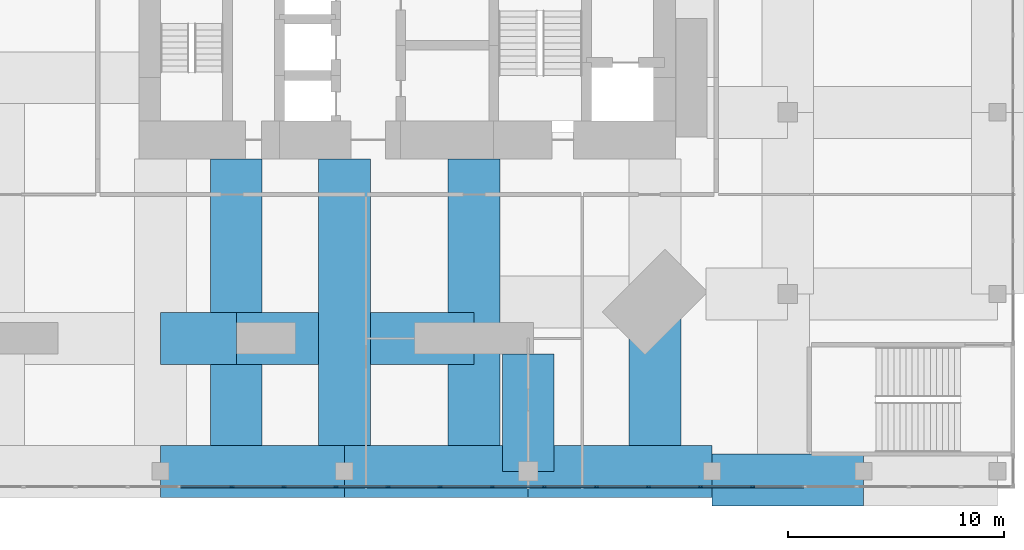
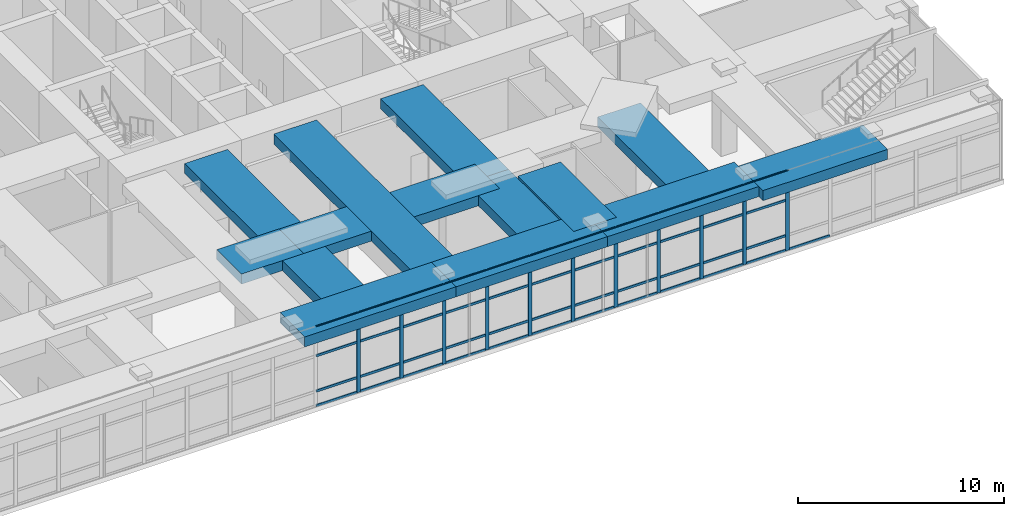
# One storey, part 5 of 22: 56 members, 14 beams, 1 element without a shape of its own.
"""IFC4 building model written with IfcOpenShell, lengths in metres."""

from ifc_helpers import new_model, si_unit, direction, frame, origin, origin_2d, place, context, subcontext, project, spatial, rectangle, extrude, material, material_profile, profile_set, type_object, element, aggregate, save


model = new_model("IFC4")

# Units and contexts
model_context = context("Model", 3, precision=1e-05, world=origin(), true_north=direction((0.0, 1.0)))
body_context = subcontext(model_context, "Body", "Model", "MODEL_VIEW")
ifc_project = project(units=[si_unit("LENGTHUNIT", "METRE"), si_unit("AREAUNIT", "SQUARE_METRE"), si_unit("VOLUMEUNIT", "CUBIC_METRE"), si_unit("PLANEANGLEUNIT", "RADIAN"), si_unit("MASSUNIT", "GRAM", prefix="KILO")], contexts=[model_context])

# Site, building, storey
site_placement = place(None, origin())
site = spatial("IfcSite", under=ifc_project, at=site_placement, CompositionType="ELEMENT")
building_placement = place(site_placement, origin())
building = spatial("IfcBuilding", under=site, at=building_placement, Name="Jalousie Tower", CompositionType="ELEMENT")
storey_placement = place(building_placement, frame((0.0, 0.0, 6.0)))
storey = spatial("IfcBuildingStorey", under=building, at=storey_placement, Name="L01", CompositionType="ELEMENT", Elevation=6.0)

# Curtain wall, members
ifc_material_1 = material(Name="Aluminium curtain wall", Category="aluminium")
curtain_wall_type = type_object("IfcCurtainWallType", Name="PODIUM WINDOW WALL", PredefinedType="USERDEFINED", material=ifc_material_1)
curtain_wall_placement = place(storey_placement, origin())
curtain_wall = element("IfcCurtainWall", 1, at=curtain_wall_placement, inside=storey, type_object=curtain_wall_type, Name="Podium Window Wall L01 1", ObjectType="PODIUM WINDOW WALL", PredefinedType="USERDEFINED")
ifc_material_2 = material(Name="Aluminium mullion", Category="aluminium")
ifc_material_profile_1 = material_profile(ifc_material_2, rectangle(XDim=0.070068359375, YDim=0.199951171875, at=origin_2d()), Name="MULLION 70x200")
ifc_profile_set_1 = profile_set([ifc_material_profile_1], Name="Aluminium mullion")
member_type_1 = type_object("IfcMemberType", Name="PODIUM WINDOW WALL MULLION", PredefinedType="MULLION", material=ifc_profile_set_1)
member_1_placement = place(storey_placement, frame((23.796142578125, -5.91259765625, 0.0), z_axis=(0.0, 0.0, 1.0), x_axis=(0.0, 1.0, 0.0)))
member_1 = element("IfcMember", 2, at=member_1_placement, type_object=member_type_1, Name="CW-P mullion 15", PredefinedType="MULLION", context=body_context, shape_type="SweptSolid", body=[
    extrude(rectangle(XDim=0.070068359375, YDim=0.199951171875, at=origin_2d()), origin(), (0.0, 0.0, 1.0), 4.719970703125),
])
member_2_placement = place(storey_placement, frame((26.203857421875, -5.91259765625, 0.0), z_axis=(0.0, 0.0, 1.0), x_axis=(0.0, 1.0, 0.0)))
member_2 = element("IfcMember", 3, at=member_2_placement, type_object=member_type_1, Name="CW-P mullion 16", PredefinedType="MULLION", context=body_context, shape_type="SweptSolid", body=[
    extrude(rectangle(XDim=0.070068359375, YDim=0.199951171875, at=origin_2d()), origin(), (0.0, 0.0, 1.0), 4.719970703125),
])
member_3_placement = place(storey_placement, frame((28.611572265625, -5.91259765625, 0.0), z_axis=(0.0, 0.0, 1.0), x_axis=(0.0, 1.0, 0.0)))
member_3 = element("IfcMember", 4, at=member_3_placement, type_object=member_type_1, Name="CW-P mullion 17", PredefinedType="MULLION", context=body_context, shape_type="SweptSolid", body=[
    extrude(rectangle(XDim=0.070068359375, YDim=0.199951171875, at=origin_2d()), origin(), (0.0, 0.0, 1.0), 4.719970703125),
])
member_4_placement = place(storey_placement, frame((31.019287109375, -5.91259765625, 0.0), z_axis=(0.0, 0.0, 1.0), x_axis=(0.0, 1.0, 0.0)))
member_4 = element("IfcMember", 5, at=member_4_placement, type_object=member_type_1, Name="CW-P mullion 18", PredefinedType="MULLION", context=body_context, shape_type="SweptSolid", body=[
    extrude(rectangle(XDim=0.070068359375, YDim=0.199951171875, at=origin_2d()), origin(), (0.0, 0.0, 1.0), 4.719970703125),
])
member_5_placement = place(storey_placement, frame((33.42724609375, -5.91259765625, 0.0), z_axis=(0.0, 0.0, 1.0), x_axis=(0.0, 1.0, 0.0)))
member_5 = element("IfcMember", 6, at=member_5_placement, type_object=member_type_1, Name="CW-P mullion 19", PredefinedType="MULLION", context=body_context, shape_type="SweptSolid", body=[
    extrude(rectangle(XDim=0.070068359375, YDim=0.199951171875, at=origin_2d()), origin(), (0.0, 0.0, 1.0), 4.719970703125),
])
member_6_placement = place(storey_placement, frame((35.8349609375, -5.91259765625, 0.0), z_axis=(0.0, 0.0, 1.0), x_axis=(0.0, 1.0, 0.0)))
member_6 = element("IfcMember", 7, at=member_6_placement, type_object=member_type_1, Name="CW-P mullion 20", PredefinedType="MULLION", context=body_context, shape_type="SweptSolid", body=[
    extrude(rectangle(XDim=0.070068359375, YDim=0.199951171875, at=origin_2d()), origin(), (0.0, 0.0, 1.0), 4.719970703125),
])
member_7_placement = place(storey_placement, frame((38.24267578125, -5.91259765625, 0.0), z_axis=(0.0, 0.0, 1.0), x_axis=(0.0, 1.0, 0.0)))
member_7 = element("IfcMember", 8, at=member_7_placement, type_object=member_type_1, Name="CW-P mullion 21", PredefinedType="MULLION", context=body_context, shape_type="SweptSolid", body=[
    extrude(rectangle(XDim=0.070068359375, YDim=0.199951171875, at=origin_2d()), origin(), (0.0, 0.0, 1.0), 4.719970703125),
])
member_8_placement = place(storey_placement, frame((40.650390625, -5.91259765625, 0.0), z_axis=(0.0, 0.0, 1.0), x_axis=(0.0, 1.0, 0.0)))
member_8 = element("IfcMember", 9, at=member_8_placement, type_object=member_type_1, Name="CW-P mullion 22", PredefinedType="MULLION", context=body_context, shape_type="SweptSolid", body=[
    extrude(rectangle(XDim=0.070068359375, YDim=0.199951171875, at=origin_2d()), origin(), (0.0, 0.0, 1.0), 4.719970703125),
])
member_9_placement = place(storey_placement, frame((43.05810546875, -5.91259765625, 0.0), z_axis=(0.0, 0.0, 1.0), x_axis=(0.0, 1.0, 0.0)))
member_9 = element("IfcMember", 10, at=member_9_placement, type_object=member_type_1, Name="CW-P mullion 23", PredefinedType="MULLION", context=body_context, shape_type="SweptSolid", body=[
    extrude(rectangle(XDim=0.070068359375, YDim=0.199951171875, at=origin_2d()), origin(), (0.0, 0.0, 1.0), 4.719970703125),
])
member_10_placement = place(storey_placement, frame((45.466064453125, -5.91259765625, 0.0), z_axis=(0.0, 0.0, 1.0), x_axis=(0.0, 1.0, 0.0)))
member_10 = element("IfcMember", 11, at=member_10_placement, type_object=member_type_1, Name="CW-P mullion 24", PredefinedType="MULLION", context=body_context, shape_type="SweptSolid", body=[
    extrude(rectangle(XDim=0.070068359375, YDim=0.199951171875, at=origin_2d()), origin(), (0.0, 0.0, 1.0), 4.719970703125),
])
member_11_placement = place(storey_placement, frame((47.873779296875, -5.91259765625, 0.0), z_axis=(0.0, 0.0, 1.0), x_axis=(0.0, 1.0, 0.0)))
member_11 = element("IfcMember", 12, at=member_11_placement, type_object=member_type_1, Name="CW-P mullion 25", PredefinedType="MULLION", context=body_context, shape_type="SweptSolid", body=[
    extrude(rectangle(XDim=0.070068359375, YDim=0.199951171875, at=origin_2d()), origin(), (0.0, 0.0, 1.0), 4.719970703125),
])
ifc_material_3 = material(Name="Aluminium transom", Category="aluminium")
ifc_material_profile_2 = material_profile(ifc_material_3, rectangle(XDim=0.070068359375, YDim=0.139892578125, at=origin_2d()), Name="TRANSOM 70x140")
ifc_profile_set_2 = profile_set([ifc_material_profile_2], Name="Aluminium transom")
member_type_2 = type_object("IfcMemberType", Name="PODIUM WINDOW WALL TRANSOM", PredefinedType="USERDEFINED", material=ifc_profile_set_2)
member_12_placement = place(storey_placement, frame((21.42333984375, -5.91259765625, 0.034912109375), z_axis=(1.0, 0.0, 0.0), x_axis=(0.0, 1.0, 0.0)))
member_12 = element("IfcMember", 13, at=member_12_placement, type_object=member_type_2, Name="CW-P transom 14.1", ObjectType="TRANSOM", PredefinedType="USERDEFINED", context=body_context, shape_type="SweptSolid", body=[
    extrude(rectangle(XDim=0.070068359375, YDim=0.139892578125, at=origin_2d()), origin(), (0.0, 0.0, 1.0), 2.337890625),
])
member_13_placement = place(storey_placement, frame((21.42333984375, -5.91259765625, 0.89990234375), z_axis=(1.0, 0.0, 0.0), x_axis=(0.0, 1.0, 0.0)))
member_13 = element("IfcMember", 14, at=member_13_placement, type_object=member_type_2, Name="CW-P transom 14.2", ObjectType="TRANSOM", PredefinedType="USERDEFINED", context=body_context, shape_type="SweptSolid", body=[
    extrude(rectangle(XDim=0.070068359375, YDim=0.139892578125, at=origin_2d()), origin(), (0.0, 0.0, 1.0), 2.337890625),
])
member_14_placement = place(storey_placement, frame((21.42333984375, -5.91259765625, 3.0), z_axis=(1.0, 0.0, 0.0), x_axis=(0.0, 1.0, 0.0)))
member_14 = element("IfcMember", 15, at=member_14_placement, type_object=member_type_2, Name="CW-P transom 14.3", ObjectType="TRANSOM", PredefinedType="USERDEFINED", context=body_context, shape_type="SweptSolid", body=[
    extrude(rectangle(XDim=0.070068359375, YDim=0.139892578125, at=origin_2d()), origin(), (0.0, 0.0, 1.0), 2.337890625),
])
member_15_placement = place(storey_placement, frame((21.42333984375, -5.91259765625, 4.68505859375), z_axis=(1.0, 0.0, 0.0), x_axis=(0.0, 1.0, 0.0)))
member_15 = element("IfcMember", 16, at=member_15_placement, type_object=member_type_2, Name="CW-P transom 14.4", ObjectType="TRANSOM", PredefinedType="USERDEFINED", context=body_context, shape_type="SweptSolid", body=[
    extrude(rectangle(XDim=0.070068359375, YDim=0.139892578125, at=origin_2d()), origin(), (0.0, 0.0, 1.0), 2.337890625),
])
member_16_placement = place(storey_placement, frame((23.8310546875, -5.91259765625, 0.034912109375), z_axis=(1.0, 0.0, 0.0), x_axis=(0.0, 1.0, 0.0)))
member_16 = element("IfcMember", 17, at=member_16_placement, type_object=member_type_2, Name="CW-P transom 15.1", ObjectType="TRANSOM", PredefinedType="USERDEFINED", context=body_context, shape_type="SweptSolid", body=[
    extrude(rectangle(XDim=0.070068359375, YDim=0.139892578125, at=origin_2d()), origin(), (0.0, 0.0, 1.0), 2.337890625),
])
member_17_placement = place(storey_placement, frame((23.8310546875, -5.91259765625, 0.89990234375), z_axis=(1.0, 0.0, 0.0), x_axis=(0.0, 1.0, 0.0)))
member_17 = element("IfcMember", 18, at=member_17_placement, type_object=member_type_2, Name="CW-P transom 15.2", ObjectType="TRANSOM", PredefinedType="USERDEFINED", context=body_context, shape_type="SweptSolid", body=[
    extrude(rectangle(XDim=0.070068359375, YDim=0.139892578125, at=origin_2d()), origin(), (0.0, 0.0, 1.0), 2.337890625),
])
member_18_placement = place(storey_placement, frame((23.8310546875, -5.91259765625, 3.0), z_axis=(1.0, 0.0, 0.0), x_axis=(0.0, 1.0, 0.0)))
member_18 = element("IfcMember", 19, at=member_18_placement, type_object=member_type_2, Name="CW-P transom 15.3", ObjectType="TRANSOM", PredefinedType="USERDEFINED", context=body_context, shape_type="SweptSolid", body=[
    extrude(rectangle(XDim=0.070068359375, YDim=0.139892578125, at=origin_2d()), origin(), (0.0, 0.0, 1.0), 2.337890625),
])
member_19_placement = place(storey_placement, frame((23.8310546875, -5.91259765625, 4.68505859375), z_axis=(1.0, 0.0, 0.0), x_axis=(0.0, 1.0, 0.0)))
member_19 = element("IfcMember", 20, at=member_19_placement, type_object=member_type_2, Name="CW-P transom 15.4", ObjectType="TRANSOM", PredefinedType="USERDEFINED", context=body_context, shape_type="SweptSolid", body=[
    extrude(rectangle(XDim=0.070068359375, YDim=0.139892578125, at=origin_2d()), origin(), (0.0, 0.0, 1.0), 2.337890625),
])
member_20_placement = place(storey_placement, frame((26.23876953125, -5.91259765625, 0.034912109375), z_axis=(1.0, 0.0, 0.0), x_axis=(0.0, 1.0, 0.0)))
member_20 = element("IfcMember", 21, at=member_20_placement, type_object=member_type_2, Name="CW-P transom 16.1", ObjectType="TRANSOM", PredefinedType="USERDEFINED", context=body_context, shape_type="SweptSolid", body=[
    extrude(rectangle(XDim=0.070068359375, YDim=0.139892578125, at=origin_2d()), origin(), (0.0, 0.0, 1.0), 2.337890625),
])
member_21_placement = place(storey_placement, frame((26.23876953125, -5.91259765625, 0.89990234375), z_axis=(1.0, 0.0, 0.0), x_axis=(0.0, 1.0, 0.0)))
member_21 = element("IfcMember", 22, at=member_21_placement, type_object=member_type_2, Name="CW-P transom 16.2", ObjectType="TRANSOM", PredefinedType="USERDEFINED", context=body_context, shape_type="SweptSolid", body=[
    extrude(rectangle(XDim=0.070068359375, YDim=0.139892578125, at=origin_2d()), origin(), (0.0, 0.0, 1.0), 2.337890625),
])
member_22_placement = place(storey_placement, frame((26.23876953125, -5.91259765625, 3.0), z_axis=(1.0, 0.0, 0.0), x_axis=(0.0, 1.0, 0.0)))
member_22 = element("IfcMember", 23, at=member_22_placement, type_object=member_type_2, Name="CW-P transom 16.3", ObjectType="TRANSOM", PredefinedType="USERDEFINED", context=body_context, shape_type="SweptSolid", body=[
    extrude(rectangle(XDim=0.070068359375, YDim=0.139892578125, at=origin_2d()), origin(), (0.0, 0.0, 1.0), 2.337890625),
])
member_23_placement = place(storey_placement, frame((26.23876953125, -5.91259765625, 4.68505859375), z_axis=(1.0, 0.0, 0.0), x_axis=(0.0, 1.0, 0.0)))
member_23 = element("IfcMember", 24, at=member_23_placement, type_object=member_type_2, Name="CW-P transom 16.4", ObjectType="TRANSOM", PredefinedType="USERDEFINED", context=body_context, shape_type="SweptSolid", body=[
    extrude(rectangle(XDim=0.070068359375, YDim=0.139892578125, at=origin_2d()), origin(), (0.0, 0.0, 1.0), 2.337890625),
])
member_24_placement = place(storey_placement, frame((28.646728515625, -5.91259765625, 0.034912109375), z_axis=(1.0, 0.0, 0.0), x_axis=(0.0, 1.0, 0.0)))
member_24 = element("IfcMember", 25, at=member_24_placement, type_object=member_type_2, Name="CW-P transom 17.1", ObjectType="TRANSOM", PredefinedType="USERDEFINED", context=body_context, shape_type="SweptSolid", body=[
    extrude(rectangle(XDim=0.070068359375, YDim=0.139892578125, at=origin_2d()), origin(), (0.0, 0.0, 1.0), 2.337646484375),
])
member_25_placement = place(storey_placement, frame((28.646728515625, -5.91259765625, 0.89990234375), z_axis=(1.0, 0.0, 0.0), x_axis=(0.0, 1.0, 0.0)))
member_25 = element("IfcMember", 26, at=member_25_placement, type_object=member_type_2, Name="CW-P transom 17.2", ObjectType="TRANSOM", PredefinedType="USERDEFINED", context=body_context, shape_type="SweptSolid", body=[
    extrude(rectangle(XDim=0.070068359375, YDim=0.139892578125, at=origin_2d()), origin(), (0.0, 0.0, 1.0), 2.337646484375),
])
member_26_placement = place(storey_placement, frame((28.646728515625, -5.91259765625, 3.0), z_axis=(1.0, 0.0, 0.0), x_axis=(0.0, 1.0, 0.0)))
member_26 = element("IfcMember", 27, at=member_26_placement, type_object=member_type_2, Name="CW-P transom 17.3", ObjectType="TRANSOM", PredefinedType="USERDEFINED", context=body_context, shape_type="SweptSolid", body=[
    extrude(rectangle(XDim=0.070068359375, YDim=0.139892578125, at=origin_2d()), origin(), (0.0, 0.0, 1.0), 2.337646484375),
])
member_27_placement = place(storey_placement, frame((28.646728515625, -5.91259765625, 4.68505859375), z_axis=(1.0, 0.0, 0.0), x_axis=(0.0, 1.0, 0.0)))
member_27 = element("IfcMember", 28, at=member_27_placement, type_object=member_type_2, Name="CW-P transom 17.4", ObjectType="TRANSOM", PredefinedType="USERDEFINED", context=body_context, shape_type="SweptSolid", body=[
    extrude(rectangle(XDim=0.070068359375, YDim=0.139892578125, at=origin_2d()), origin(), (0.0, 0.0, 1.0), 2.337646484375),
])
member_28_placement = place(storey_placement, frame((31.054443359375, -5.91259765625, 0.034912109375), z_axis=(1.0, 0.0, 0.0), x_axis=(0.0, 1.0, 0.0)))
member_28 = element("IfcMember", 29, at=member_28_placement, type_object=member_type_2, Name="CW-P transom 18.1", ObjectType="TRANSOM", PredefinedType="USERDEFINED", context=body_context, shape_type="SweptSolid", body=[
    extrude(rectangle(XDim=0.070068359375, YDim=0.139892578125, at=origin_2d()), origin(), (0.0, 0.0, 1.0), 2.337646484375),
])
member_29_placement = place(storey_placement, frame((31.054443359375, -5.91259765625, 0.89990234375), z_axis=(1.0, 0.0, 0.0), x_axis=(0.0, 1.0, 0.0)))
member_29 = element("IfcMember", 30, at=member_29_placement, type_object=member_type_2, Name="CW-P transom 18.2", ObjectType="TRANSOM", PredefinedType="USERDEFINED", context=body_context, shape_type="SweptSolid", body=[
    extrude(rectangle(XDim=0.070068359375, YDim=0.139892578125, at=origin_2d()), origin(), (0.0, 0.0, 1.0), 2.337646484375),
])
member_30_placement = place(storey_placement, frame((31.054443359375, -5.91259765625, 3.0), z_axis=(1.0, 0.0, 0.0), x_axis=(0.0, 1.0, 0.0)))
member_30 = element("IfcMember", 31, at=member_30_placement, type_object=member_type_2, Name="CW-P transom 18.3", ObjectType="TRANSOM", PredefinedType="USERDEFINED", context=body_context, shape_type="SweptSolid", body=[
    extrude(rectangle(XDim=0.070068359375, YDim=0.139892578125, at=origin_2d()), origin(), (0.0, 0.0, 1.0), 2.337646484375),
])
member_31_placement = place(storey_placement, frame((31.054443359375, -5.91259765625, 4.68505859375), z_axis=(1.0, 0.0, 0.0), x_axis=(0.0, 1.0, 0.0)))
member_31 = element("IfcMember", 32, at=member_31_placement, type_object=member_type_2, Name="CW-P transom 18.4", ObjectType="TRANSOM", PredefinedType="USERDEFINED", context=body_context, shape_type="SweptSolid", body=[
    extrude(rectangle(XDim=0.070068359375, YDim=0.139892578125, at=origin_2d()), origin(), (0.0, 0.0, 1.0), 2.337646484375),
])
member_32_placement = place(storey_placement, frame((33.462158203125, -5.91259765625, 0.034912109375), z_axis=(1.0, 0.0, 0.0), x_axis=(0.0, 1.0, 0.0)))
member_32 = element("IfcMember", 33, at=member_32_placement, type_object=member_type_2, Name="CW-P transom 19.1", ObjectType="TRANSOM", PredefinedType="USERDEFINED", context=body_context, shape_type="SweptSolid", body=[
    extrude(rectangle(XDim=0.070068359375, YDim=0.139892578125, at=origin_2d()), origin(), (0.0, 0.0, 1.0), 2.337646484375),
])
member_33_placement = place(storey_placement, frame((33.462158203125, -5.91259765625, 0.89990234375), z_axis=(1.0, 0.0, 0.0), x_axis=(0.0, 1.0, 0.0)))
member_33 = element("IfcMember", 34, at=member_33_placement, type_object=member_type_2, Name="CW-P transom 19.2", ObjectType="TRANSOM", PredefinedType="USERDEFINED", context=body_context, shape_type="SweptSolid", body=[
    extrude(rectangle(XDim=0.070068359375, YDim=0.139892578125, at=origin_2d()), origin(), (0.0, 0.0, 1.0), 2.337646484375),
])
member_34_placement = place(storey_placement, frame((33.462158203125, -5.91259765625, 3.0), z_axis=(1.0, 0.0, 0.0), x_axis=(0.0, 1.0, 0.0)))
member_34 = element("IfcMember", 35, at=member_34_placement, type_object=member_type_2, Name="CW-P transom 19.3", ObjectType="TRANSOM", PredefinedType="USERDEFINED", context=body_context, shape_type="SweptSolid", body=[
    extrude(rectangle(XDim=0.070068359375, YDim=0.139892578125, at=origin_2d()), origin(), (0.0, 0.0, 1.0), 2.337646484375),
])
member_35_placement = place(storey_placement, frame((33.462158203125, -5.91259765625, 4.68505859375), z_axis=(1.0, 0.0, 0.0), x_axis=(0.0, 1.0, 0.0)))
member_35 = element("IfcMember", 36, at=member_35_placement, type_object=member_type_2, Name="CW-P transom 19.4", ObjectType="TRANSOM", PredefinedType="USERDEFINED", context=body_context, shape_type="SweptSolid", body=[
    extrude(rectangle(XDim=0.070068359375, YDim=0.139892578125, at=origin_2d()), origin(), (0.0, 0.0, 1.0), 2.337646484375),
])
member_36_placement = place(storey_placement, frame((35.869873046875, -5.91259765625, 0.034912109375), z_axis=(1.0, 0.0, 0.0), x_axis=(0.0, 1.0, 0.0)))
member_36 = element("IfcMember", 37, at=member_36_placement, type_object=member_type_2, Name="CW-P transom 20.1", ObjectType="TRANSOM", PredefinedType="USERDEFINED", context=body_context, shape_type="SweptSolid", body=[
    extrude(rectangle(XDim=0.070068359375, YDim=0.139892578125, at=origin_2d()), origin(), (0.0, 0.0, 1.0), 2.337890625),
])
member_37_placement = place(storey_placement, frame((35.869873046875, -5.91259765625, 0.89990234375), z_axis=(1.0, 0.0, 0.0), x_axis=(0.0, 1.0, 0.0)))
member_37 = element("IfcMember", 38, at=member_37_placement, type_object=member_type_2, Name="CW-P transom 20.2", ObjectType="TRANSOM", PredefinedType="USERDEFINED", context=body_context, shape_type="SweptSolid", body=[
    extrude(rectangle(XDim=0.070068359375, YDim=0.139892578125, at=origin_2d()), origin(), (0.0, 0.0, 1.0), 2.337890625),
])
member_38_placement = place(storey_placement, frame((35.869873046875, -5.91259765625, 3.0), z_axis=(1.0, 0.0, 0.0), x_axis=(0.0, 1.0, 0.0)))
member_38 = element("IfcMember", 39, at=member_38_placement, type_object=member_type_2, Name="CW-P transom 20.3", ObjectType="TRANSOM", PredefinedType="USERDEFINED", context=body_context, shape_type="SweptSolid", body=[
    extrude(rectangle(XDim=0.070068359375, YDim=0.139892578125, at=origin_2d()), origin(), (0.0, 0.0, 1.0), 2.337890625),
])
member_39_placement = place(storey_placement, frame((35.869873046875, -5.91259765625, 4.68505859375), z_axis=(1.0, 0.0, 0.0), x_axis=(0.0, 1.0, 0.0)))
member_39 = element("IfcMember", 40, at=member_39_placement, type_object=member_type_2, Name="CW-P transom 20.4", ObjectType="TRANSOM", PredefinedType="USERDEFINED", context=body_context, shape_type="SweptSolid", body=[
    extrude(rectangle(XDim=0.070068359375, YDim=0.139892578125, at=origin_2d()), origin(), (0.0, 0.0, 1.0), 2.337890625),
])
member_40_placement = place(storey_placement, frame((38.277587890625, -5.91259765625, 0.034912109375), z_axis=(1.0, 0.0, 0.0), x_axis=(0.0, 1.0, 0.0)))
member_40 = element("IfcMember", 41, at=member_40_placement, type_object=member_type_2, Name="CW-P transom 21.1", ObjectType="TRANSOM", PredefinedType="USERDEFINED", context=body_context, shape_type="SweptSolid", body=[
    extrude(rectangle(XDim=0.070068359375, YDim=0.139892578125, at=origin_2d()), origin(), (0.0, 0.0, 1.0), 2.337890625),
])
member_41_placement = place(storey_placement, frame((38.277587890625, -5.91259765625, 0.89990234375), z_axis=(1.0, 0.0, 0.0), x_axis=(0.0, 1.0, 0.0)))
member_41 = element("IfcMember", 42, at=member_41_placement, type_object=member_type_2, Name="CW-P transom 21.2", ObjectType="TRANSOM", PredefinedType="USERDEFINED", context=body_context, shape_type="SweptSolid", body=[
    extrude(rectangle(XDim=0.070068359375, YDim=0.139892578125, at=origin_2d()), origin(), (0.0, 0.0, 1.0), 2.337890625),
])
member_42_placement = place(storey_placement, frame((38.277587890625, -5.91259765625, 3.0), z_axis=(1.0, 0.0, 0.0), x_axis=(0.0, 1.0, 0.0)))
member_42 = element("IfcMember", 43, at=member_42_placement, type_object=member_type_2, Name="CW-P transom 21.3", ObjectType="TRANSOM", PredefinedType="USERDEFINED", context=body_context, shape_type="SweptSolid", body=[
    extrude(rectangle(XDim=0.070068359375, YDim=0.139892578125, at=origin_2d()), origin(), (0.0, 0.0, 1.0), 2.337890625),
])
member_43_placement = place(storey_placement, frame((38.277587890625, -5.91259765625, 4.68505859375), z_axis=(1.0, 0.0, 0.0), x_axis=(0.0, 1.0, 0.0)))
member_43 = element("IfcMember", 44, at=member_43_placement, type_object=member_type_2, Name="CW-P transom 21.4", ObjectType="TRANSOM", PredefinedType="USERDEFINED", context=body_context, shape_type="SweptSolid", body=[
    extrude(rectangle(XDim=0.070068359375, YDim=0.139892578125, at=origin_2d()), origin(), (0.0, 0.0, 1.0), 2.337890625),
])
member_44_placement = place(storey_placement, frame((40.685546875, -5.91259765625, 0.034912109375), z_axis=(1.0, 0.0, 0.0), x_axis=(0.0, 1.0, 0.0)))
member_44 = element("IfcMember", 45, at=member_44_placement, type_object=member_type_2, Name="CW-P transom 22.1", ObjectType="TRANSOM", PredefinedType="USERDEFINED", context=body_context, shape_type="SweptSolid", body=[
    extrude(rectangle(XDim=0.070068359375, YDim=0.139892578125, at=origin_2d()), origin(), (0.0, 0.0, 1.0), 2.337646484375),
])
member_45_placement = place(storey_placement, frame((40.685546875, -5.91259765625, 0.89990234375), z_axis=(1.0, 0.0, 0.0), x_axis=(0.0, 1.0, 0.0)))
member_45 = element("IfcMember", 46, at=member_45_placement, type_object=member_type_2, Name="CW-P transom 22.2", ObjectType="TRANSOM", PredefinedType="USERDEFINED", context=body_context, shape_type="SweptSolid", body=[
    extrude(rectangle(XDim=0.070068359375, YDim=0.139892578125, at=origin_2d()), origin(), (0.0, 0.0, 1.0), 2.337646484375),
])
member_46_placement = place(storey_placement, frame((40.685546875, -5.91259765625, 3.0), z_axis=(1.0, 0.0, 0.0), x_axis=(0.0, 1.0, 0.0)))
member_46 = element("IfcMember", 47, at=member_46_placement, type_object=member_type_2, Name="CW-P transom 22.3", ObjectType="TRANSOM", PredefinedType="USERDEFINED", context=body_context, shape_type="SweptSolid", body=[
    extrude(rectangle(XDim=0.070068359375, YDim=0.139892578125, at=origin_2d()), origin(), (0.0, 0.0, 1.0), 2.337646484375),
])
member_47_placement = place(storey_placement, frame((40.685546875, -5.91259765625, 4.68505859375), z_axis=(1.0, 0.0, 0.0), x_axis=(0.0, 1.0, 0.0)))
member_47 = element("IfcMember", 48, at=member_47_placement, type_object=member_type_2, Name="CW-P transom 22.4", ObjectType="TRANSOM", PredefinedType="USERDEFINED", context=body_context, shape_type="SweptSolid", body=[
    extrude(rectangle(XDim=0.070068359375, YDim=0.139892578125, at=origin_2d()), origin(), (0.0, 0.0, 1.0), 2.337646484375),
])
member_48_placement = place(storey_placement, frame((43.09326171875, -5.91259765625, 0.034912109375), z_axis=(1.0, 0.0, 0.0), x_axis=(0.0, 1.0, 0.0)))
member_48 = element("IfcMember", 49, at=member_48_placement, type_object=member_type_2, Name="CW-P transom 23.1", ObjectType="TRANSOM", PredefinedType="USERDEFINED", context=body_context, shape_type="SweptSolid", body=[
    extrude(rectangle(XDim=0.070068359375, YDim=0.139892578125, at=origin_2d()), origin(), (0.0, 0.0, 1.0), 2.337646484375),
])
member_49_placement = place(storey_placement, frame((43.09326171875, -5.91259765625, 0.89990234375), z_axis=(1.0, 0.0, 0.0), x_axis=(0.0, 1.0, 0.0)))
member_49 = element("IfcMember", 50, at=member_49_placement, type_object=member_type_2, Name="CW-P transom 23.2", ObjectType="TRANSOM", PredefinedType="USERDEFINED", context=body_context, shape_type="SweptSolid", body=[
    extrude(rectangle(XDim=0.070068359375, YDim=0.139892578125, at=origin_2d()), origin(), (0.0, 0.0, 1.0), 2.337646484375),
])
member_50_placement = place(storey_placement, frame((43.09326171875, -5.91259765625, 3.0), z_axis=(1.0, 0.0, 0.0), x_axis=(0.0, 1.0, 0.0)))
member_50 = element("IfcMember", 51, at=member_50_placement, type_object=member_type_2, Name="CW-P transom 23.3", ObjectType="TRANSOM", PredefinedType="USERDEFINED", context=body_context, shape_type="SweptSolid", body=[
    extrude(rectangle(XDim=0.070068359375, YDim=0.139892578125, at=origin_2d()), origin(), (0.0, 0.0, 1.0), 2.337646484375),
])
member_51_placement = place(storey_placement, frame((43.09326171875, -5.91259765625, 4.68505859375), z_axis=(1.0, 0.0, 0.0), x_axis=(0.0, 1.0, 0.0)))
member_51 = element("IfcMember", 52, at=member_51_placement, type_object=member_type_2, Name="CW-P transom 23.4", ObjectType="TRANSOM", PredefinedType="USERDEFINED", context=body_context, shape_type="SweptSolid", body=[
    extrude(rectangle(XDim=0.070068359375, YDim=0.139892578125, at=origin_2d()), origin(), (0.0, 0.0, 1.0), 2.337646484375),
])
member_52_placement = place(storey_placement, frame((45.5009765625, -5.91259765625, 0.034912109375), z_axis=(1.0, 0.0, 0.0), x_axis=(0.0, 1.0, 0.0)))
member_52 = element("IfcMember", 53, at=member_52_placement, type_object=member_type_2, Name="CW-P transom 24.1", ObjectType="TRANSOM", PredefinedType="USERDEFINED", context=body_context, shape_type="SweptSolid", body=[
    extrude(rectangle(XDim=0.070068359375, YDim=0.139892578125, at=origin_2d()), origin(), (0.0, 0.0, 1.0), 2.337646484375),
])
member_53_placement = place(storey_placement, frame((45.5009765625, -5.91259765625, 0.89990234375), z_axis=(1.0, 0.0, 0.0), x_axis=(0.0, 1.0, 0.0)))
member_53 = element("IfcMember", 54, at=member_53_placement, type_object=member_type_2, Name="CW-P transom 24.2", ObjectType="TRANSOM", PredefinedType="USERDEFINED", context=body_context, shape_type="SweptSolid", body=[
    extrude(rectangle(XDim=0.070068359375, YDim=0.139892578125, at=origin_2d()), origin(), (0.0, 0.0, 1.0), 2.337646484375),
])
member_54_placement = place(storey_placement, frame((45.5009765625, -5.91259765625, 3.0), z_axis=(1.0, 0.0, 0.0), x_axis=(0.0, 1.0, 0.0)))
member_54 = element("IfcMember", 55, at=member_54_placement, type_object=member_type_2, Name="CW-P transom 24.3", ObjectType="TRANSOM", PredefinedType="USERDEFINED", context=body_context, shape_type="SweptSolid", body=[
    extrude(rectangle(XDim=0.070068359375, YDim=0.139892578125, at=origin_2d()), origin(), (0.0, 0.0, 1.0), 2.337646484375),
])
member_55_placement = place(storey_placement, frame((45.5009765625, -5.91259765625, 4.68505859375), z_axis=(1.0, 0.0, 0.0), x_axis=(0.0, 1.0, 0.0)))
member_55 = element("IfcMember", 56, at=member_55_placement, type_object=member_type_2, Name="CW-P transom 24.4", ObjectType="TRANSOM", PredefinedType="USERDEFINED", context=body_context, shape_type="SweptSolid", body=[
    extrude(rectangle(XDim=0.070068359375, YDim=0.139892578125, at=origin_2d()), origin(), (0.0, 0.0, 1.0), 2.337646484375),
])
member_56_placement = place(storey_placement, frame((47.90869140625, -5.91259765625, 0.034912109375), z_axis=(1.0, 0.0, 0.0), x_axis=(0.0, 1.0, 0.0)))
member_56 = element("IfcMember", 57, at=member_56_placement, type_object=member_type_2, Name="CW-P transom 25.1", ObjectType="TRANSOM", PredefinedType="USERDEFINED", context=body_context, shape_type="SweptSolid", body=[
    extrude(rectangle(XDim=0.070068359375, YDim=0.139892578125, at=origin_2d()), origin(), (0.0, 0.0, 1.0), 2.337890625),
])
aggregate(curtain_wall, [member_1, member_2, member_3, member_4, member_5, member_6, member_7, member_8, member_9, member_10, member_11, member_12, member_13, member_14, member_15, member_16, member_17, member_18, member_19, member_20, member_21, member_22, member_23, member_24, member_25, member_26, member_27, member_28, member_29, member_30, member_31, member_32, member_33, member_34, member_35, member_36, member_37, member_38, member_39, member_40, member_41, member_42, member_43, member_44, member_45, member_46, member_47, member_48, member_49, member_50, member_51, member_52, member_53, member_54, member_55, member_56])

# Beams
ifc_material_4 = material(Name="Concrete f'c 40 MPa", Category="concrete")
ifc_material_profile_3 = material_profile(ifc_material_4, rectangle(XDim=2.39990234375, YDim=0.60009765625, at=origin_2d()), Name="RC 2400x600")
ifc_profile_set_3 = profile_set([ifc_material_profile_3], Name="Concrete f'c 40 MPa")
beam_type = type_object("IfcBeamType", Name="RC BEAM 2400x600", PredefinedType="BEAM", material=ifc_profile_set_3)
beam_1_placement = place(storey_placement, frame((20.5, 0.949951171875, 4.419921875), z_axis=(1.0, 0.0, 0.0), x_axis=(0.0, 1.0, 0.0)))
element("IfcBeam", 58, at=beam_1_placement, inside=storey, type_object=beam_type, Name="Floor band beam under L02", PredefinedType="BEAM", context=body_context, shape_type="SweptSolid", body=[
    extrude(rectangle(XDim=2.39990234375, YDim=0.60009765625, at=origin_2d()), origin(), (0.0, 0.0, 1.0), 3.5),
])
beam_2_placement = place(storey_placement, frame((24.0, 0.949951171875, 4.419921875), z_axis=(1.0, 0.0, 0.0), x_axis=(0.0, 1.0, 0.0)))
element("IfcBeam", 59, at=beam_2_placement, inside=storey, type_object=beam_type, Name="Floor band beam under L02", PredefinedType="BEAM", context=body_context, shape_type="SweptSolid", body=[
    extrude(rectangle(XDim=2.39990234375, YDim=0.60009765625, at=origin_2d()), origin(), (0.0, 0.0, 1.0), 3.800048828125),
])
beam_3_placement = place(storey_placement, frame((30.199951171875, 0.949951171875, 4.419921875), z_axis=(1.0, 0.0, 0.0), x_axis=(0.0, 1.0, 0.0)))
element("IfcBeam", 60, at=beam_3_placement, inside=storey, type_object=beam_type, Name="Floor band beam under L02", PredefinedType="BEAM", context=body_context, shape_type="SweptSolid", body=[
    extrude(rectangle(XDim=2.39990234375, YDim=0.60009765625, at=origin_2d()), origin(), (0.0, 0.0, 1.0), 4.800048828125),
])
beam_4_placement = place(storey_placement, frame((20.5, -5.199951171875, 4.419921875), z_axis=(1.0, 0.0, 0.0), x_axis=(0.0, 1.0, 0.0)))
element("IfcBeam", 61, at=beam_4_placement, inside=storey, type_object=beam_type, Name="Floor band beam under L02", PredefinedType="BEAM", context=body_context, shape_type="SweptSolid", body=[
    extrude(rectangle(XDim=2.39990234375, YDim=0.60009765625, at=origin_2d()), origin(), (0.0, 0.0, 1.0), 8.5),
])
beam_5_placement = place(storey_placement, frame((24.0, 0.949951171875, 4.419921875), z_axis=(0.0, 1.0, 0.0), x_axis=(-1.0, 0.0, 0.0)))
element("IfcBeam", 62, at=beam_5_placement, inside=storey, type_object=beam_type, Name="Floor band beam under L02", PredefinedType="BEAM", context=body_context, shape_type="SweptSolid", body=[
    extrude(rectangle(XDim=2.39990234375, YDim=0.60009765625, at=origin_2d()), origin(), (0.0, 0.0, 1.0), 8.300048828125),
])
beam_6_placement = place(storey_placement, frame((29.0, -5.199951171875, 4.419921875), z_axis=(1.0, 0.0, 0.0), x_axis=(0.0, 1.0, 0.0)))
element("IfcBeam", 63, at=beam_6_placement, inside=storey, type_object=beam_type, Name="Floor band beam under L02", PredefinedType="BEAM", context=body_context, shape_type="SweptSolid", body=[
    extrude(rectangle(XDim=2.39990234375, YDim=0.60009765625, at=origin_2d()), origin(), (0.0, 0.0, 1.0), 8.5),
])
beam_7_placement = place(storey_placement, frame((29.0, -5.199951171875, 4.419921875), z_axis=(0.0, 1.0, 0.0), x_axis=(-1.0, 0.0, 0.0)))
element("IfcBeam", 64, at=beam_7_placement, inside=storey, type_object=beam_type, Name="Floor band beam under L02", PredefinedType="BEAM", context=body_context, shape_type="SweptSolid", body=[
    extrude(rectangle(XDim=2.39990234375, YDim=0.60009765625, at=origin_2d()), origin(), (0.0, 0.0, 1.0), 14.449951171875),
])
beam_8_placement = place(storey_placement, frame((35.0, 0.949951171875, 4.419921875), z_axis=(0.0, 1.0, 0.0), x_axis=(-1.0, 0.0, 0.0)))
element("IfcBeam", 65, at=beam_8_placement, inside=storey, type_object=beam_type, Name="Floor band beam under L02", PredefinedType="BEAM", context=body_context, shape_type="SweptSolid", body=[
    extrude(rectangle(XDim=2.39990234375, YDim=0.60009765625, at=origin_2d()), origin(), (0.0, 0.0, 1.0), 8.300048828125),
])
beam_9_placement = place(storey_placement, frame((37.5, -5.199951171875, 4.419921875), z_axis=(1.0, 0.0, 0.0), x_axis=(0.0, 1.0, 0.0)))
element("IfcBeam", 66, at=beam_9_placement, inside=storey, type_object=beam_type, Name="Floor band beam under L02", PredefinedType="BEAM", context=body_context, shape_type="SweptSolid", body=[
    extrude(rectangle(XDim=2.39990234375, YDim=0.60009765625, at=origin_2d()), origin(), (0.0, 0.0, 1.0), 8.5),
])
beam_10_placement = place(storey_placement, frame((37.5, -5.199951171875, 4.419921875), z_axis=(0.0, 1.0, 0.0), x_axis=(-1.0, 0.0, 0.0)))
element("IfcBeam", 67, at=beam_10_placement, inside=storey, type_object=beam_type, Name="Floor band beam under L02", PredefinedType="BEAM", context=body_context, shape_type="SweptSolid", body=[
    extrude(rectangle(XDim=2.39990234375, YDim=0.60009765625, at=origin_2d()), origin(), (0.0, 0.0, 1.0), 5.425048828125),
])
beam_11_placement = place(storey_placement, frame((46.0, -5.60009765625, 4.419921875), z_axis=(1.0, 0.0, 0.0), x_axis=(0.0, 1.0, 0.0)))
element("IfcBeam", 68, at=beam_11_placement, inside=storey, type_object=beam_type, Name="Floor band beam under L02", PredefinedType="BEAM", context=body_context, shape_type="SweptSolid", body=[
    extrude(rectangle(XDim=2.39990234375, YDim=0.60009765625, at=origin_2d()), origin(), (0.0, 0.0, 1.0), 7.0),
])
for number, where, z_axis, x_axis, name in (
    (69, (24.0, 0.949951171875, 4.419921875), (0.0, -1.0, 0.0), (1.0, 0.0, 0.0), "Floor band beam under L02"),
    (70, (35.0, 0.949951171875, 4.419921875), (0.0, -1.0, 0.0), (1.0, 0.0, 0.0), "Floor band beam under L02"),
):
    element("IfcBeam", number, at=place(storey_placement, frame(where, z_axis=z_axis, x_axis=x_axis)), inside=storey, type_object=beam_type, Name=name, PredefinedType="BEAM", context=body_context, shape_type="SweptSolid", body=[
        extrude(rectangle(XDim=2.39990234375, YDim=0.60009765625, at=origin_2d()), origin(), (0.0, 0.0, 1.0), 4.949951171875),
    ])
beam_12_placement = place(storey_placement, frame((43.36865234375, 2.63134765625, 4.419921875), z_axis=(0.0, -1.0, 0.0), x_axis=(1.0, 0.0, 0.0)))
element("IfcBeam", 71, at=beam_12_placement, inside=storey, type_object=beam_type, Name="Floor band beam under L02", PredefinedType="BEAM", context=body_context, shape_type="SweptSolid", body=[
    extrude(rectangle(XDim=2.39990234375, YDim=0.60009765625, at=origin_2d()), origin(), (0.0, 0.0, 1.0), 6.63134765625),
])

save(model, "model.ifc")
